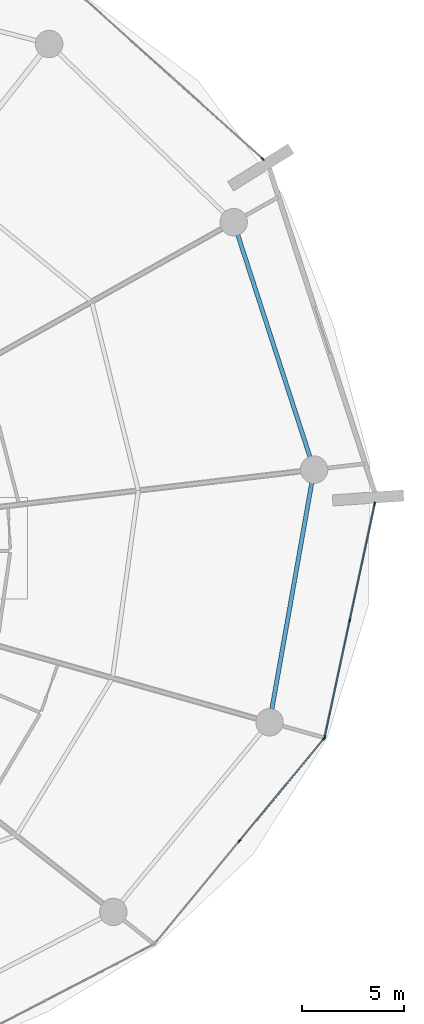
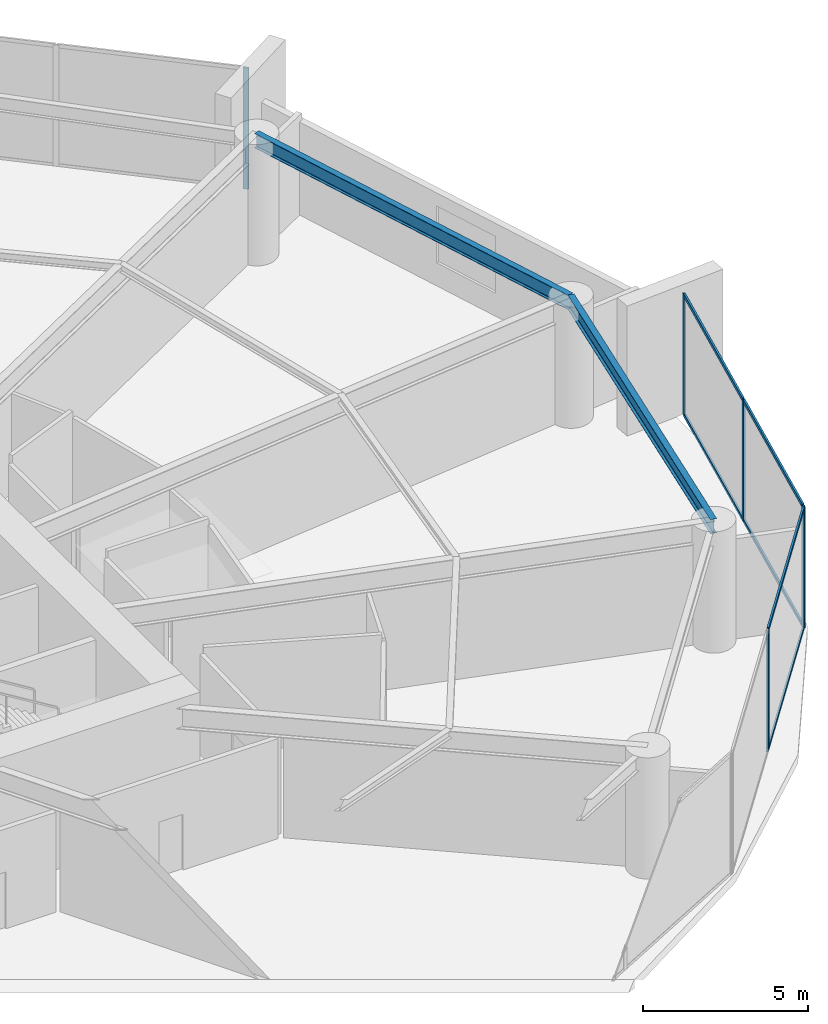
# One storey, part 16 of 22: 12 members, 2 beams, 3 elements without a shape of their own.
"""IFC4 building model written with IfcOpenShell, lengths in metres."""

import ifcopenshell
import ifcopenshell.guid

model = None  # the IFC model being written
_history = None  # IfcOwnerHistory: only IFC2X3 demands one
_inside = {}  # id of a spatial element -> (the spatial element, [elements in it])
_under = {}  # id of a project, library or spatial element -> (it, [spatial elements below it])
_declared = {}  # id of a project -> (the project, [libraries it declares])
_typed = {}  # id of a type object -> (the type object, [elements of that type])
_made_of = {}  # id of a material, layer set ... -> (it, [elements and type objects made of it])


def new_model(schema):
    """Start an empty IFC model of exactly this schema.

    Asked for "IFC4X3", IfcOpenShell would pick the latest addendum, in which some entities
    have other attributes; the version numbers below select the first issue.
    IFC2X3 requires an IfcOwnerHistory on every rooted entity: one is made here for all.
    """
    global model, _history
    if schema == "IFC4X3":
        model = ifcopenshell.file(schema_version=(4, 3, 0, 0))
    else:
        model = ifcopenshell.file(schema=schema)
    _inside.clear()
    _under.clear()
    _declared.clear()
    _typed.clear()
    _made_of.clear()
    _history = None
    if model.schema == "IFC2X3":
        org = make("IfcOrganization", Name="unknown")
        user = make(
            "IfcPersonAndOrganization",
            ThePerson=make("IfcPerson", FamilyName="unknown"),
            TheOrganization=org,
        )
        app = make(
            "IfcApplication",
            ApplicationDeveloper=org,
            Version="unknown",
            ApplicationFullName="unknown",
            ApplicationIdentifier="unknown",
        )
        _history = make(
            "IfcOwnerHistory",
            OwningUser=user,
            OwningApplication=app,
            ChangeAction="ADDED",
            CreationDate=0,
        )
    return model


def make(cls, **values):
    """One entity of the class cls with the attributes given. An attribute that is None is left unset."""
    return model.create_entity(
        cls, **{name: value for name, value in values.items() if value is not None}
    )


def rooted(cls, **values):
    """An entity with a GlobalId (a new one), such as an element, a storey or a relation."""
    return make(cls, GlobalId=ifcopenshell.guid.new(), OwnerHistory=_history, **values)


def si_unit(unit_type, name, prefix=None):
    """IfcSIUnit, for example si_unit("LENGTHUNIT", "METRE", prefix="MILLI")."""
    return make("IfcSIUnit", UnitType=unit_type, Prefix=prefix, Name=name)


def assignment(units):
    """IfcUnitAssignment: the units of a project."""
    return None if units is None else make("IfcUnitAssignment", Units=units)


def point(xyz):
    """IfcCartesianPoint."""
    return None if xyz is None else make("IfcCartesianPoint", Coordinates=xyz)


def direction(xyz):
    """IfcDirection."""
    return None if xyz is None else make("IfcDirection", DirectionRatios=xyz)


def frame(location, z_axis=None, x_axis=None):
    """IfcAxis2Placement3D, a coordinate frame: its origin and axes. An axis left out is left unset."""
    return make(
        "IfcAxis2Placement3D",
        Location=point(location),
        Axis=direction(z_axis),
        RefDirection=direction(x_axis),
    )


def frame_2d(location, x_axis=None):
    """IfcAxis2Placement2D, a coordinate frame in the plane: its origin and x axis."""
    return make(
        "IfcAxis2Placement2D", Location=point(location), RefDirection=direction(x_axis)
    )


def origin():
    """The frame at (0, 0, 0) with its axes left unset."""
    return frame((0.0, 0.0, 0.0))


def origin_2d():
    """The frame at (0, 0) in the plane with its x axis left unset."""
    return frame_2d((0.0, 0.0))


def place(relative_to, where):
    """IfcLocalPlacement: puts the frame where relative to a parent placement (None: the world)."""
    return make(
        "IfcLocalPlacement", PlacementRelTo=relative_to, RelativePlacement=where
    )


def context(
    kind, dimensions, precision=None, world=None, true_north=None, identifier=None
):
    """IfcGeometricRepresentationContext, for example the 3D "Model" context."""
    return make(
        "IfcGeometricRepresentationContext",
        ContextIdentifier=identifier,
        ContextType=kind,
        CoordinateSpaceDimension=dimensions,
        Precision=precision,
        WorldCoordinateSystem=world,
        TrueNorth=true_north,
    )


def subcontext(parent, identifier, kind, view, scale=None):
    """IfcGeometricRepresentationSubContext, for example "Body" below "Model"."""
    return make(
        "IfcGeometricRepresentationSubContext",
        ContextIdentifier=identifier,
        ContextType=kind,
        ParentContext=parent,
        TargetScale=scale,
        TargetView=view,
    )


def project(units=None, contexts=None):
    """IfcProject with its units and contexts."""
    return rooted(
        "IfcProject",
        Name="project",
        RepresentationContexts=contexts,
        UnitsInContext=assignment(units),
    )


def spatial(cls, under=None, at=None, **own):
    """A site, building, storey or space (cls), placed at a placement, below another one or the project."""
    s = rooted(cls, ObjectPlacement=at, **own)
    if under is not None:
        _under.setdefault(under.id(), (under, []))[1].append(s)
    return s


def profile(cls, at=None, kind="AREA", **sizes):
    """A parametric profile (cls). Its sizes go by their IFC names, for example OverallWidth=200.0."""
    return make(cls, ProfileType=kind, Position=at, **sizes)


def rectangle(**sizes):
    """IfcRectangleProfileDef."""
    return profile("IfcRectangleProfileDef", **sizes)


def i_section(**sizes):
    """IfcIShapeProfileDef."""
    return profile("IfcIShapeProfileDef", **sizes)


def extrude(swept, where, along, depth):
    """IfcExtrudedAreaSolid: the profile swept, set in the frame where, extruded along a direction by depth."""
    return make(
        "IfcExtrudedAreaSolid",
        SweptArea=swept,
        Position=where,
        ExtrudedDirection=direction(along),
        Depth=depth,
    )


def shape(context_of_items, identifier, shape_type, items):
    """IfcShapeRepresentation: the items that make up one representation, for example the "Body"."""
    return make(
        "IfcShapeRepresentation",
        ContextOfItems=context_of_items,
        RepresentationIdentifier=identifier,
        RepresentationType=shape_type,
        Items=items,
    )


def material(Name=None, Category=None):
    """IfcMaterial."""
    return make("IfcMaterial", Name=Name, Category=Category)


def layer(
    of_material, thickness, ventilated=None, Name=None, Category=None, Priority=None
):
    """IfcMaterialLayer: one layer of a wall or slab, of a material (None: an air gap)."""
    return make(
        "IfcMaterialLayer",
        Material=of_material,
        LayerThickness=thickness,
        IsVentilated=ventilated,
        Name=Name,
        Category=Category,
        Priority=Priority,
    )


def layer_set(layers, Name=None):
    """IfcMaterialLayerSet."""
    return make("IfcMaterialLayerSet", MaterialLayers=layers, LayerSetName=Name)


def material_profile(
    of_material, cross_section, Name=None, Category=None, Priority=None
):
    """IfcMaterialProfile: a cross section and its material."""
    return make(
        "IfcMaterialProfile",
        Name=Name,
        Material=of_material,
        Profile=cross_section,
        Priority=Priority,
        Category=Category,
    )


def profile_set(profiles, Name=None, composite=None):
    """IfcMaterialProfileSet."""
    return make(
        "IfcMaterialProfileSet",
        Name=Name,
        MaterialProfiles=profiles,
        CompositeProfile=composite,
    )


def made_of(thing, what):
    """Note that an element or type object is made of a material, layer set ...; save() writes the relation."""
    if what is not None:
        _made_of.setdefault(what.id(), (what, []))[1].append(thing)
    return thing


def type_object(cls, material=None, **own):
    """A type object (cls), such as IfcWallType, which elements share."""
    return made_of(rooted(cls, **own), material)


def element(
    cls,
    number,
    at=None,
    inside=None,
    cuts=None,
    type_object=None,
    material=None,
    context=None,
    identifier="Body",
    shape_type=None,
    held_by="IfcProductDefinitionShape",
    body=None,
    shapes=None,
    **own,
):
    """One element of the class cls, such as IfcWall. Its Tag is "e" and its number.

    at: its placement. inside: the storey or other place that contains it. cuts: it is an
    opening in that element (IfcRelVoidsElement). A single representation is given by context,
    identifier, shape_type and body (its items); several are given by shapes. held_by: the class
    of the entity that holds the representations. save() writes the other relations.
    """
    e = rooted(cls, Tag="e%d" % number, ObjectPlacement=at, **own)
    if body is not None:
        shapes = [shape(context, identifier, shape_type, body)]
    if shapes is not None:
        e.Representation = make(held_by, Representations=shapes)
    if inside is not None:
        _inside.setdefault(inside.id(), (inside, []))[1].append(e)
    if cuts is not None:
        rooted(
            "IfcRelVoidsElement", RelatingBuildingElement=cuts, RelatedOpeningElement=e
        )
    if type_object is not None:
        _typed.setdefault(type_object.id(), (type_object, []))[1].append(e)
    return made_of(e, material)


def aggregate(whole, parts):
    """IfcRelAggregates: a whole, such as a stair, and the parts it consists of."""
    return rooted("IfcRelAggregates", RelatingObject=whole, RelatedObjects=parts)


def save(model, path):
    """Write the relations noted so far, then the file.

    IfcRelAggregates (storeys below a building ...), IfcRelContainedInSpatialStructure (elements
    in a storey), IfcRelDefinesByType, IfcRelAssociatesMaterial and IfcRelDeclares: one each for
    every whole, place, type object, material and project.
    """
    for whole, parts in _under.values():
        aggregate(whole, parts)
    for where, things in _inside.values():
        rooted(
            "IfcRelContainedInSpatialStructure",
            RelatedElements=things,
            RelatingStructure=where,
        )
    for kind, things in _typed.values():
        rooted("IfcRelDefinesByType", RelatedObjects=things, RelatingType=kind)
    for what, things in _made_of.values():
        rooted("IfcRelAssociatesMaterial", RelatedObjects=things, RelatingMaterial=what)
    for by, libraries in _declared.values():
        rooted("IfcRelDeclares", RelatingContext=by, RelatedDefinitions=libraries)
    model.write(path)


model = new_model("IFC4")

# Units and contexts
model_context = context("Model", 3, precision=1e-05, world=origin(), true_north=direction((0.0, 1.0)))
body_context = subcontext(model_context, "Body", "Model", "MODEL_VIEW")
ifc_project = project(units=[si_unit("LENGTHUNIT", "METRE"), si_unit("AREAUNIT", "SQUARE_METRE"), si_unit("VOLUMEUNIT", "CUBIC_METRE"), si_unit("PLANEANGLEUNIT", "RADIAN"), si_unit("MASSUNIT", "GRAM", prefix="KILO")], contexts=[model_context])

# Site, building, storey
site_placement = place(None, origin())
site = spatial("IfcSite", under=ifc_project, at=site_placement, CompositionType="ELEMENT")
building_placement = place(site_placement, origin())
building = spatial("IfcBuilding", under=site, at=building_placement, Name="Kazma Halo Residences", CompositionType="ELEMENT")
storey_placement = place(building_placement, frame((0.0, 0.0, 12.0)))
storey = spatial("IfcBuildingStorey", under=building, at=storey_placement, Name="L02", CompositionType="ELEMENT", Elevation=12.0)

# Beams
ifc_material_1 = material(Name="Steel S355", Category="steel")
ifc_material_profile_1 = material_profile(ifc_material_1, i_section(OverallWidth=0.208984375, OverallDepth=0.532958984375, WebThickness=0.01025390625, FlangeThickness=0.015625, FilletRadius=0.01611328125, at=origin_2d()), Name="W530x92")
ifc_profile_set_1 = profile_set([ifc_material_profile_1], Name="Steel S355")
beam_type = type_object("IfcBeamType", Name="BM-SPN-W530", PredefinedType="BEAM", material=ifc_profile_set_1)
beam_1_placement = place(storey_placement, frame((78.397705078125, 33.427001953125, 4.21337890625), z_axis=(0.173657334149, 0.984806138434, 0.0), x_axis=(-0.984806138434, 0.173657334149, 0.0)))
element("IfcBeam", 1, at=beam_1_placement, inside=storey, type_object=beam_type, Name="L02 perimeter ring beam 15", PredefinedType="BEAM", context=body_context, shape_type="SweptSolid", body=[
    extrude(i_section(OverallWidth=0.208984375, OverallDepth=0.532958984375, WebThickness=0.01025390625, FlangeThickness=0.015625, FilletRadius=0.01611328125, at=origin_2d()), origin(), (0.0, 0.0, 1.0), 12.6220703125),
])
beam_2_placement = place(storey_placement, frame((80.589599609375, 45.857177734375, 4.21337890625), z_axis=(-0.3090114866, 0.951058305862, 0.0), x_axis=(-0.951058305862, -0.3090114866, 0.0)))
element("IfcBeam", 2, at=beam_2_placement, inside=storey, type_object=beam_type, Name="L02 perimeter ring beam 16", PredefinedType="BEAM", context=body_context, shape_type="SweptSolid", body=[
    extrude(i_section(OverallWidth=0.208984375, OverallDepth=0.532958984375, WebThickness=0.01025390625, FlangeThickness=0.015625, FilletRadius=0.01611328125, at=origin_2d()), origin(), (0.0, 0.0, 1.0), 12.8046875),
])

# Curtain wall, member
ifc_material_2 = material(Name="Aluminium AW-6063 T6 and Triple-Silver Low-E Glass", Category="aluminium")
ifc_layer = layer(ifc_material_2, 0.179931640625)
ifc_layer_set = layer_set([ifc_layer], Name="Aluminium AW-6063 T6 and Triple-Silver Low-E Glass")
curtain_wall_type = type_object("IfcCurtainWallType", Name="CW-SYS-1", PredefinedType="NOTDEFINED", material=ifc_layer_set)
curtain_wall_1_placement = place(storey_placement, origin())
curtain_wall_1 = element("IfcCurtainWall", 3, at=curtain_wall_1_placement, inside=storey, type_object=curtain_wall_type, Name="L02 unitised curtain wall B01", PredefinedType="NOTDEFINED")
ifc_material_3 = material(Name="Aluminium AW-6063 T6", Category="aluminium")
ifc_material_profile_2 = material_profile(ifc_material_3, rectangle(XDim=0.06494140625, YDim=0.179931640625, at=origin_2d()), Name="CWM-65x180")
ifc_profile_set_2 = profile_set([ifc_material_profile_2], Name="Aluminium AW-6063 T6")
member_type_1 = type_object("IfcMemberType", Name="CW-SYS-1-MUL", PredefinedType="MULLION", material=ifc_profile_set_2)
member_1_placement = place(storey_placement, frame((78.05859375, 61.14990234375, 0.0), z_axis=(0.0, 0.0, 1.0), x_axis=(-0.667847908139, -0.744297770784, 0.0)))
member_1 = element("IfcMember", 4, at=member_1_placement, type_object=member_type_1, Name="CWS-1 mullion 1", PredefinedType="MULLION", context=body_context, shape_type="SweptSolid", body=[
    extrude(rectangle(XDim=0.06494140625, YDim=0.179931640625, at=origin_2d()), origin(), (0.0, 0.0, 1.0), 4.47998046875),
])
aggregate(curtain_wall_1, [member_1])

# Curtain wall, members
curtain_wall_2_placement = place(storey_placement, origin())
curtain_wall_2 = element("IfcCurtainWall", 5, at=curtain_wall_2_placement, inside=storey, type_object=curtain_wall_type, Name="L02 unitised curtain wall B14", PredefinedType="NOTDEFINED")
member_2_placement = place(storey_placement, frame((76.915283203125, 27.5859375, 0.0), z_axis=(0.0, 0.0, 1.0), x_axis=(-0.771191775002, 0.636602895194, 0.0)))
member_2 = element("IfcMember", 6, at=member_2_placement, type_object=member_type_1, Name="CWS-1 mullion 2", PredefinedType="MULLION", context=body_context, shape_type="SweptSolid", body=[
    extrude(rectangle(XDim=0.06494140625, YDim=0.179931640625, at=origin_2d()), origin(), (0.0, 0.0, 1.0), 4.47998046875),
])
member_3_placement = place(storey_placement, frame((81.08544921875, 32.637939453125, 0.0), z_axis=(0.0, 0.0, 1.0), x_axis=(-0.771191775002, 0.636602895194, 0.0)))
member_3 = element("IfcMember", 7, at=member_3_placement, type_object=member_type_1, Name="CWS-1 mullion 3", PredefinedType="MULLION", context=body_context, shape_type="SweptSolid", body=[
    extrude(rectangle(XDim=0.06494140625, YDim=0.179931640625, at=origin_2d()), origin(), (0.0, 0.0, 1.0), 4.47998046875),
])

curtain_wall_3_placement = place(storey_placement, origin())
curtain_wall_3 = element("IfcCurtainWall", 8, at=curtain_wall_3_placement, inside=storey, type_object=curtain_wall_type, Name="L02 unitised curtain wall B15", PredefinedType="NOTDEFINED")
member_4_placement = place(storey_placement, frame((81.113037109375, 32.69482421875, 0.0), z_axis=(0.0, 0.0, 1.0), x_axis=(-0.977788157631, 0.209595607771, 0.0)))
member_4 = element("IfcMember", 9, at=member_4_placement, type_object=member_type_1, Name="CWS-1 mullion 1", PredefinedType="MULLION", context=body_context, shape_type="SweptSolid", body=[
    extrude(rectangle(XDim=0.06494140625, YDim=0.179931640625, at=origin_2d()), origin(), (0.0, 0.0, 1.0), 4.47998046875),
])
member_5_placement = place(storey_placement, frame((82.343505859375, 38.435302734375, 0.0), z_axis=(0.0, 0.0, 1.0), x_axis=(-0.977788157631, 0.209595607771, 0.0)))
member_5 = element("IfcMember", 10, at=member_5_placement, type_object=member_type_1, Name="CWS-1 mullion 2", PredefinedType="MULLION", context=body_context, shape_type="SweptSolid", body=[
    extrude(rectangle(XDim=0.06494140625, YDim=0.179931640625, at=origin_2d()), origin(), (0.0, 0.0, 1.0), 4.47998046875),
])
member_6_placement = place(storey_placement, frame((83.573974609375, 44.175537109375, 0.0), z_axis=(0.0, 0.0, 1.0), x_axis=(-0.977788157631, 0.209595607771, 0.0)))
member_6 = element("IfcMember", 11, at=member_6_placement, type_object=member_type_1, Name="CWS-1 mullion 3", PredefinedType="MULLION", context=body_context, shape_type="SweptSolid", body=[
    extrude(rectangle(XDim=0.06494140625, YDim=0.179931640625, at=origin_2d()), origin(), (0.0, 0.0, 1.0), 4.47998046875),
])

# Member
ifc_material_profile_3 = material_profile(ifc_material_3, rectangle(XDim=0.06494140625, YDim=0.135009765625, at=origin_2d()), Name="CWT-65x135")
ifc_profile_set_3 = profile_set([ifc_material_profile_3], Name="Aluminium AW-6063 T6")
member_type_2 = type_object("IfcMemberType", Name="CW-SYS-1-TRN", PredefinedType="USERDEFINED", material=ifc_profile_set_3)
member_7_placement = place(storey_placement, frame((76.935791015625, 27.611083984375, 0.032470703125), z_axis=(0.636615852507, 0.771181078825, 0.0), x_axis=(-0.771181078825, 0.636615852507, 0.0)))
member_7 = element("IfcMember", 12, at=member_7_placement, type_object=member_type_2, Name="CWS-1 transom 2.1", ObjectType="TRANSOM", PredefinedType="USERDEFINED", context=body_context, shape_type="SweptSolid", body=[
    extrude(rectangle(XDim=0.06494140625, YDim=0.135009765625, at=origin_2d()), origin(), (0.0, 0.0, 1.0), 6.486083984375),
])

member_8_placement = place(storey_placement, frame((76.935791015625, 27.611083984375, 4.447509765625), z_axis=(0.636615852507, 0.771181078825, 0.0), x_axis=(-0.771181078825, 0.636615852507, 0.0)))
member_8 = element("IfcMember", 13, at=member_8_placement, type_object=member_type_2, Name="CWS-1 transom 2.2", ObjectType="TRANSOM", PredefinedType="USERDEFINED", context=body_context, shape_type="SweptSolid", body=[
    extrude(rectangle(XDim=0.06494140625, YDim=0.135009765625, at=origin_2d()), origin(), (0.0, 0.0, 1.0), 6.486083984375),
])

aggregate(curtain_wall_2, [member_2, member_3, member_7, member_8])

member_9_placement = place(storey_placement, frame((81.119873046875, 32.7265625, 0.032470703125), z_axis=(0.209577907659, 0.977791951604, 0.0), x_axis=(-0.977791951604, 0.209577907659, 0.0)))
member_9 = element("IfcMember", 14, at=member_9_placement, type_object=member_type_2, Name="CWS-1 transom 1.1", ObjectType="TRANSOM", PredefinedType="USERDEFINED", context=body_context, shape_type="SweptSolid", body=[
    extrude(rectangle(XDim=0.06494140625, YDim=0.135009765625, at=origin_2d()), origin(), (0.0, 0.0, 1.0), 5.805908203125),
])

member_10_placement = place(storey_placement, frame((81.119873046875, 32.7265625, 4.447509765625), z_axis=(0.209577907659, 0.977791951604, 0.0), x_axis=(-0.977791951604, 0.209577907659, 0.0)))
member_10 = element("IfcMember", 15, at=member_10_placement, type_object=member_type_2, Name="CWS-1 transom 1.2", ObjectType="TRANSOM", PredefinedType="USERDEFINED", context=body_context, shape_type="SweptSolid", body=[
    extrude(rectangle(XDim=0.06494140625, YDim=0.135009765625, at=origin_2d()), origin(), (0.0, 0.0, 1.0), 5.805908203125),
])

member_11_placement = place(storey_placement, frame((82.350341796875, 38.467041015625, 0.032470703125), z_axis=(0.209586525071, 0.977790104526, 0.0), x_axis=(-0.977790104526, 0.209586525071, 0.0)))
member_11 = element("IfcMember", 16, at=member_11_placement, type_object=member_type_2, Name="CWS-1 transom 2.1", ObjectType="TRANSOM", PredefinedType="USERDEFINED", context=body_context, shape_type="SweptSolid", body=[
    extrude(rectangle(XDim=0.06494140625, YDim=0.135009765625, at=origin_2d()), origin(), (0.0, 0.0, 1.0), 5.8056640625),
])

member_12_placement = place(storey_placement, frame((82.350341796875, 38.467041015625, 4.447509765625), z_axis=(0.209586525071, 0.977790104526, 0.0), x_axis=(-0.977790104526, 0.209586525071, 0.0)))
member_12 = element("IfcMember", 17, at=member_12_placement, type_object=member_type_2, Name="CWS-1 transom 2.2", ObjectType="TRANSOM", PredefinedType="USERDEFINED", context=body_context, shape_type="SweptSolid", body=[
    extrude(rectangle(XDim=0.06494140625, YDim=0.135009765625, at=origin_2d()), origin(), (0.0, 0.0, 1.0), 5.8056640625),
])

aggregate(curtain_wall_3, [member_4, member_5, member_6, member_9, member_10, member_11, member_12])

save(model, "model.ifc")
